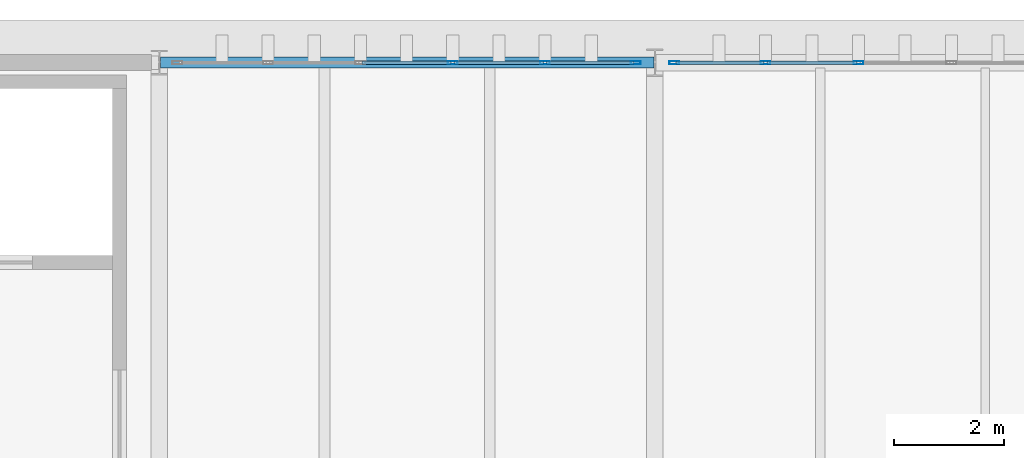
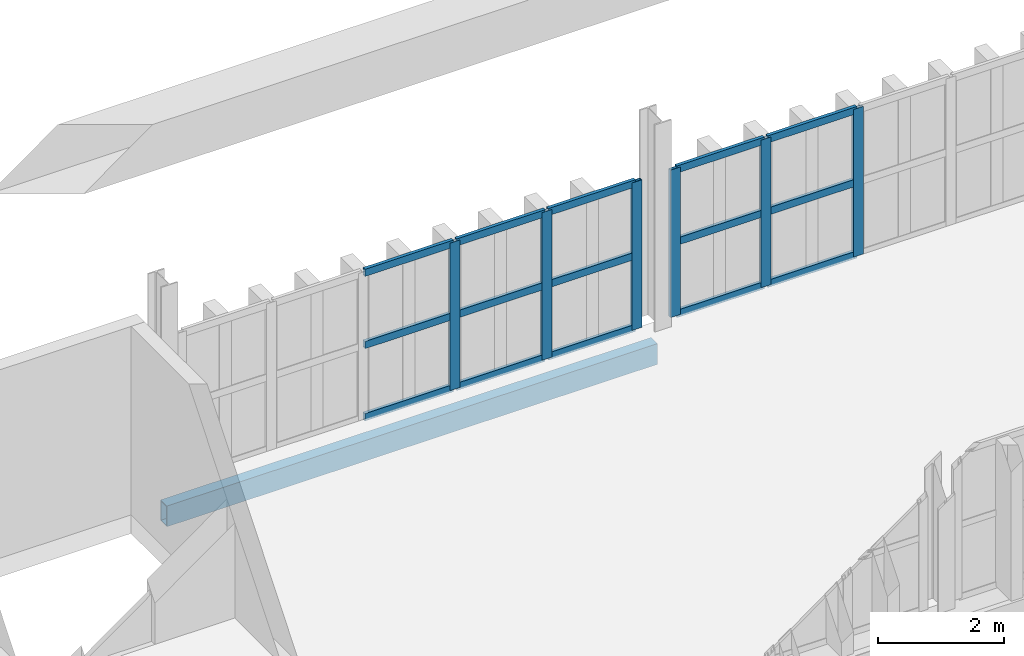
# One storey, part 71 of 102: 21 members, 1 beam, 2 elements without a shape of their own.
"""IFC4 building model written with IfcOpenShell, lengths in metres."""

import ifcopenshell
import ifcopenshell.guid

model = None  # the IFC model being written
_history = None  # IfcOwnerHistory: only IFC2X3 demands one
_inside = {}  # id of a spatial element -> (the spatial element, [elements in it])
_under = {}  # id of a project, library or spatial element -> (it, [spatial elements below it])
_declared = {}  # id of a project -> (the project, [libraries it declares])
_typed = {}  # id of a type object -> (the type object, [elements of that type])
_made_of = {}  # id of a material, layer set ... -> (it, [elements and type objects made of it])


def new_model(schema):
    """Start an empty IFC model of exactly this schema.

    Asked for "IFC4X3", IfcOpenShell would pick the latest addendum, in which some entities
    have other attributes; the version numbers below select the first issue.
    IFC2X3 requires an IfcOwnerHistory on every rooted entity: one is made here for all.
    """
    global model, _history
    if schema == "IFC4X3":
        model = ifcopenshell.file(schema_version=(4, 3, 0, 0))
    else:
        model = ifcopenshell.file(schema=schema)
    _inside.clear()
    _under.clear()
    _declared.clear()
    _typed.clear()
    _made_of.clear()
    _history = None
    if model.schema == "IFC2X3":
        org = make("IfcOrganization", Name="unknown")
        user = make(
            "IfcPersonAndOrganization",
            ThePerson=make("IfcPerson", FamilyName="unknown"),
            TheOrganization=org,
        )
        app = make(
            "IfcApplication",
            ApplicationDeveloper=org,
            Version="unknown",
            ApplicationFullName="unknown",
            ApplicationIdentifier="unknown",
        )
        _history = make(
            "IfcOwnerHistory",
            OwningUser=user,
            OwningApplication=app,
            ChangeAction="ADDED",
            CreationDate=0,
        )
    return model


def make(cls, **values):
    """One entity of the class cls with the attributes given. An attribute that is None is left unset."""
    return model.create_entity(
        cls, **{name: value for name, value in values.items() if value is not None}
    )


def rooted(cls, **values):
    """An entity with a GlobalId (a new one), such as an element, a storey or a relation."""
    return make(cls, GlobalId=ifcopenshell.guid.new(), OwnerHistory=_history, **values)


def si_unit(unit_type, name, prefix=None):
    """IfcSIUnit, for example si_unit("LENGTHUNIT", "METRE", prefix="MILLI")."""
    return make("IfcSIUnit", UnitType=unit_type, Prefix=prefix, Name=name)


def assignment(units):
    """IfcUnitAssignment: the units of a project."""
    return None if units is None else make("IfcUnitAssignment", Units=units)


def point(xyz):
    """IfcCartesianPoint."""
    return None if xyz is None else make("IfcCartesianPoint", Coordinates=xyz)


def direction(xyz):
    """IfcDirection."""
    return None if xyz is None else make("IfcDirection", DirectionRatios=xyz)


def frame(location, z_axis=None, x_axis=None):
    """IfcAxis2Placement3D, a coordinate frame: its origin and axes. An axis left out is left unset."""
    return make(
        "IfcAxis2Placement3D",
        Location=point(location),
        Axis=direction(z_axis),
        RefDirection=direction(x_axis),
    )


def frame_2d(location, x_axis=None):
    """IfcAxis2Placement2D, a coordinate frame in the plane: its origin and x axis."""
    return make(
        "IfcAxis2Placement2D", Location=point(location), RefDirection=direction(x_axis)
    )


def origin():
    """The frame at (0, 0, 0) with its axes left unset."""
    return frame((0.0, 0.0, 0.0))


def origin_2d():
    """The frame at (0, 0) in the plane with its x axis left unset."""
    return frame_2d((0.0, 0.0))


def place(relative_to, where):
    """IfcLocalPlacement: puts the frame where relative to a parent placement (None: the world)."""
    return make(
        "IfcLocalPlacement", PlacementRelTo=relative_to, RelativePlacement=where
    )


def context(
    kind, dimensions, precision=None, world=None, true_north=None, identifier=None
):
    """IfcGeometricRepresentationContext, for example the 3D "Model" context."""
    return make(
        "IfcGeometricRepresentationContext",
        ContextIdentifier=identifier,
        ContextType=kind,
        CoordinateSpaceDimension=dimensions,
        Precision=precision,
        WorldCoordinateSystem=world,
        TrueNorth=true_north,
    )


def subcontext(parent, identifier, kind, view, scale=None):
    """IfcGeometricRepresentationSubContext, for example "Body" below "Model"."""
    return make(
        "IfcGeometricRepresentationSubContext",
        ContextIdentifier=identifier,
        ContextType=kind,
        ParentContext=parent,
        TargetScale=scale,
        TargetView=view,
    )


def project(units=None, contexts=None):
    """IfcProject with its units and contexts."""
    return rooted(
        "IfcProject",
        Name="project",
        RepresentationContexts=contexts,
        UnitsInContext=assignment(units),
    )


def spatial(cls, under=None, at=None, **own):
    """A site, building, storey or space (cls), placed at a placement, below another one or the project."""
    s = rooted(cls, ObjectPlacement=at, **own)
    if under is not None:
        _under.setdefault(under.id(), (under, []))[1].append(s)
    return s


def profile(cls, at=None, kind="AREA", **sizes):
    """A parametric profile (cls). Its sizes go by their IFC names, for example OverallWidth=200.0."""
    return make(cls, ProfileType=kind, Position=at, **sizes)


def hollow_rectangle(**sizes):
    """IfcRectangleHollowProfileDef."""
    return profile("IfcRectangleHollowProfileDef", **sizes)


def extrude(swept, where, along, depth):
    """IfcExtrudedAreaSolid: the profile swept, set in the frame where, extruded along a direction by depth."""
    return make(
        "IfcExtrudedAreaSolid",
        SweptArea=swept,
        Position=where,
        ExtrudedDirection=direction(along),
        Depth=depth,
    )


def shape(context_of_items, identifier, shape_type, items):
    """IfcShapeRepresentation: the items that make up one representation, for example the "Body"."""
    return make(
        "IfcShapeRepresentation",
        ContextOfItems=context_of_items,
        RepresentationIdentifier=identifier,
        RepresentationType=shape_type,
        Items=items,
    )


def material(Name=None, Category=None):
    """IfcMaterial."""
    return make("IfcMaterial", Name=Name, Category=Category)


def layer(
    of_material, thickness, ventilated=None, Name=None, Category=None, Priority=None
):
    """IfcMaterialLayer: one layer of a wall or slab, of a material (None: an air gap)."""
    return make(
        "IfcMaterialLayer",
        Material=of_material,
        LayerThickness=thickness,
        IsVentilated=ventilated,
        Name=Name,
        Category=Category,
        Priority=Priority,
    )


def layer_set(layers, Name=None):
    """IfcMaterialLayerSet."""
    return make("IfcMaterialLayerSet", MaterialLayers=layers, LayerSetName=Name)


def material_profile(
    of_material, cross_section, Name=None, Category=None, Priority=None
):
    """IfcMaterialProfile: a cross section and its material."""
    return make(
        "IfcMaterialProfile",
        Name=Name,
        Material=of_material,
        Profile=cross_section,
        Priority=Priority,
        Category=Category,
    )


def profile_set(profiles, Name=None, composite=None):
    """IfcMaterialProfileSet."""
    return make(
        "IfcMaterialProfileSet",
        Name=Name,
        MaterialProfiles=profiles,
        CompositeProfile=composite,
    )


def made_of(thing, what):
    """Note that an element or type object is made of a material, layer set ...; save() writes the relation."""
    if what is not None:
        _made_of.setdefault(what.id(), (what, []))[1].append(thing)
    return thing


def type_object(cls, material=None, **own):
    """A type object (cls), such as IfcWallType, which elements share."""
    return made_of(rooted(cls, **own), material)


def element(
    cls,
    number,
    at=None,
    inside=None,
    cuts=None,
    type_object=None,
    material=None,
    context=None,
    identifier="Body",
    shape_type=None,
    held_by="IfcProductDefinitionShape",
    body=None,
    shapes=None,
    **own,
):
    """One element of the class cls, such as IfcWall. Its Tag is "e" and its number.

    at: its placement. inside: the storey or other place that contains it. cuts: it is an
    opening in that element (IfcRelVoidsElement). A single representation is given by context,
    identifier, shape_type and body (its items); several are given by shapes. held_by: the class
    of the entity that holds the representations. save() writes the other relations.
    """
    e = rooted(cls, Tag="e%d" % number, ObjectPlacement=at, **own)
    if body is not None:
        shapes = [shape(context, identifier, shape_type, body)]
    if shapes is not None:
        e.Representation = make(held_by, Representations=shapes)
    if inside is not None:
        _inside.setdefault(inside.id(), (inside, []))[1].append(e)
    if cuts is not None:
        rooted(
            "IfcRelVoidsElement", RelatingBuildingElement=cuts, RelatedOpeningElement=e
        )
    if type_object is not None:
        _typed.setdefault(type_object.id(), (type_object, []))[1].append(e)
    return made_of(e, material)


def aggregate(whole, parts):
    """IfcRelAggregates: a whole, such as a stair, and the parts it consists of."""
    return rooted("IfcRelAggregates", RelatingObject=whole, RelatedObjects=parts)


def save(model, path):
    """Write the relations noted so far, then the file.

    IfcRelAggregates (storeys below a building ...), IfcRelContainedInSpatialStructure (elements
    in a storey), IfcRelDefinesByType, IfcRelAssociatesMaterial and IfcRelDeclares: one each for
    every whole, place, type object, material and project.
    """
    for whole, parts in _under.values():
        aggregate(whole, parts)
    for where, things in _inside.values():
        rooted(
            "IfcRelContainedInSpatialStructure",
            RelatedElements=things,
            RelatingStructure=where,
        )
    for kind, things in _typed.values():
        rooted("IfcRelDefinesByType", RelatedObjects=things, RelatingType=kind)
    for what, things in _made_of.values():
        rooted("IfcRelAssociatesMaterial", RelatedObjects=things, RelatingMaterial=what)
    for by, libraries in _declared.values():
        rooted("IfcRelDeclares", RelatingContext=by, RelatedDefinitions=libraries)
    model.write(path)


model = new_model("IFC4")

# Units and contexts
model_context = context("Model", 3, precision=1e-05, world=origin(), true_north=direction((0.0, 1.0)))
body_context = subcontext(model_context, "Body", "Model", "MODEL_VIEW")
ifc_project = project(units=[si_unit("LENGTHUNIT", "METRE"), si_unit("AREAUNIT", "SQUARE_METRE"), si_unit("VOLUMEUNIT", "CUBIC_METRE"), si_unit("PLANEANGLEUNIT", "RADIAN"), si_unit("MASSUNIT", "GRAM", prefix="KILO")], contexts=[model_context])

# Site, building, storey
site_placement = place(None, origin())
site = spatial("IfcSite", under=ifc_project, at=site_placement, CompositionType="ELEMENT")
building_placement = place(site_placement, origin())
building = spatial("IfcBuilding", under=site, at=building_placement, Name="Barlavento Convention Centre", CompositionType="ELEMENT")
storey_placement = place(building_placement, frame((0.0, 0.0, 22.800048828125)))
storey = spatial("IfcBuildingStorey", under=building, at=storey_placement, Name="L04", CompositionType="ELEMENT", Elevation=22.800048828125)

# Curtain wall, members
ifc_material_1 = material(Name="Powder-coated aluminium and Low-E glass", Category="aluminium")
ifc_layer = layer(ifc_material_1, 0.18505859375)
ifc_layer_set = layer_set([ifc_layer], Name="ARC-CW-CONF-L04")
curtain_wall_type = type_object("IfcCurtainWallType", Name="ARC-CW-CONF-L04", PredefinedType="NOTDEFINED", material=ifc_layer_set)
curtain_wall_1_placement = place(storey_placement, origin())
curtain_wall_1 = element("IfcCurtainWall", 1, at=curtain_wall_1_placement, inside=storey, type_object=curtain_wall_type, Name="L04 unitised curtain wall CW09", PredefinedType="NOTDEFINED")
ifc_material_2 = material(Name="Powder-coated aluminium", Category="aluminium")
ifc_material_profile_1 = material_profile(ifc_material_2, hollow_rectangle(XDim=0.06005859375, YDim=0.179931640625, WallThickness=0.0048828125, at=origin_2d()), Name="AL-MULL 60x180x5")
ifc_profile_set_1 = profile_set([ifc_material_profile_1], Name="Powder-coated aluminium")
member_type_1 = type_object("IfcMemberType", Name="ARC-CWM-60X180", PredefinedType="MULLION", material=ifc_profile_set_1)
member_1_placement = place(storey_placement, frame((158.325927734375, 99.0, 0.0), z_axis=(0.0, 0.0, 1.0), x_axis=(0.0, 1.0, 0.0)))
member_1 = element("IfcMember", 2, at=member_1_placement, type_object=member_type_1, Name="CW09 mullion 4", PredefinedType="MULLION", context=body_context, shape_type="SweptSolid", body=[
    extrude(hollow_rectangle(XDim=0.06005859375, YDim=0.179931640625, WallThickness=0.0048828125, at=origin_2d()), origin(), (0.0, 0.0, 1.0), 2.849853515625),
])
member_2_placement = place(storey_placement, frame((160.0029296875, 99.0, 0.0), z_axis=(0.0, 0.0, 1.0), x_axis=(0.0, 1.0, 0.0)))
member_2 = element("IfcMember", 3, at=member_2_placement, type_object=member_type_1, Name="CW09 mullion 5", PredefinedType="MULLION", context=body_context, shape_type="SweptSolid", body=[
    extrude(hollow_rectangle(XDim=0.06005859375, YDim=0.179931640625, WallThickness=0.0048828125, at=origin_2d()), origin(), (0.0, 0.0, 1.0), 2.849853515625),
])
member_3_placement = place(storey_placement, frame((161.64990234375, 99.0, 0.0), z_axis=(0.0, 0.0, 1.0), x_axis=(0.0, 1.0, 0.0)))
member_3 = element("IfcMember", 4, at=member_3_placement, type_object=member_type_1, Name="CW09 mullion 6", PredefinedType="MULLION", context=body_context, shape_type="SweptSolid", body=[
    extrude(hollow_rectangle(XDim=0.06005859375, YDim=0.179931640625, WallThickness=0.0048828125, at=origin_2d()), origin(), (0.0, 0.0, 1.0), 2.849853515625),
])

curtain_wall_2_placement = place(storey_placement, origin())
curtain_wall_2 = element("IfcCurtainWall", 5, at=curtain_wall_2_placement, inside=storey, type_object=curtain_wall_type, Name="L04 unitised curtain wall CW09", PredefinedType="NOTDEFINED")
member_4_placement = place(storey_placement, frame((162.35009765625, 99.0, 0.0), z_axis=(0.0, 0.0, 1.0), x_axis=(0.0, 1.0, 0.0)))
member_4 = element("IfcMember", 6, at=member_4_placement, type_object=member_type_1, Name="CW09 mullion 1", PredefinedType="MULLION", context=body_context, shape_type="SweptSolid", body=[
    extrude(hollow_rectangle(XDim=0.06005859375, YDim=0.179931640625, WallThickness=0.0048828125, at=origin_2d()), origin(), (0.0, 0.0, 1.0), 2.849853515625),
])
member_5_placement = place(storey_placement, frame((164.008056640625, 99.0, 0.0), z_axis=(0.0, 0.0, 1.0), x_axis=(0.0, 1.0, 0.0)))
member_5 = element("IfcMember", 7, at=member_5_placement, type_object=member_type_1, Name="CW09 mullion 2", PredefinedType="MULLION", context=body_context, shape_type="SweptSolid", body=[
    extrude(hollow_rectangle(XDim=0.06005859375, YDim=0.179931640625, WallThickness=0.0048828125, at=origin_2d()), origin(), (0.0, 0.0, 1.0), 2.849853515625),
])
member_6_placement = place(storey_placement, frame((165.696044921875, 99.0, 0.0), z_axis=(0.0, 0.0, 1.0), x_axis=(0.0, 1.0, 0.0)))
member_6 = element("IfcMember", 8, at=member_6_placement, type_object=member_type_1, Name="CW09 mullion 3", PredefinedType="MULLION", context=body_context, shape_type="SweptSolid", body=[
    extrude(hollow_rectangle(XDim=0.06005859375, YDim=0.179931640625, WallThickness=0.0048828125, at=origin_2d()), origin(), (0.0, 0.0, 1.0), 2.849853515625),
])

# Member
ifc_material_profile_2 = material_profile(ifc_material_2, hollow_rectangle(XDim=0.06005859375, YDim=0.139892578125, WallThickness=0.00390625, at=origin_2d()), Name="AL-TRAN 60x140x4")
ifc_profile_set_2 = profile_set([ifc_material_profile_2], Name="Powder-coated aluminium")
member_type_2 = type_object("IfcMemberType", Name="ARC-CWT-60X140", PredefinedType="USERDEFINED", material=ifc_profile_set_2)
member_7_placement = place(storey_placement, frame((156.678955078125, 99.0, 0.030029296875), z_axis=(1.0, 0.0, 0.0), x_axis=(0.0, 1.0, 0.0)))
member_7 = element("IfcMember", 9, at=member_7_placement, type_object=member_type_2, Name="CW09 transom 3.1", ObjectType="TRANSOM", PredefinedType="USERDEFINED", context=body_context, shape_type="SweptSolid", body=[
    extrude(hollow_rectangle(XDim=0.06005859375, YDim=0.139892578125, WallThickness=0.00390625, at=origin_2d()), origin(), (0.0, 0.0, 1.0), 1.616943359375),
])

member_8_placement = place(storey_placement, frame((156.678955078125, 99.0, 1.425048828125), z_axis=(1.0, 0.0, 0.0), x_axis=(0.0, 1.0, 0.0)))
member_8 = element("IfcMember", 10, at=member_8_placement, type_object=member_type_2, Name="CW09 transom 3.2", ObjectType="TRANSOM", PredefinedType="USERDEFINED", context=body_context, shape_type="SweptSolid", body=[
    extrude(hollow_rectangle(XDim=0.06005859375, YDim=0.139892578125, WallThickness=0.00390625, at=origin_2d()), origin(), (0.0, 0.0, 1.0), 1.616943359375),
])

member_9_placement = place(storey_placement, frame((156.678955078125, 99.0, 2.820068359375), z_axis=(1.0, 0.0, 0.0), x_axis=(0.0, 1.0, 0.0)))
member_9 = element("IfcMember", 11, at=member_9_placement, type_object=member_type_2, Name="CW09 transom 3.3", ObjectType="TRANSOM", PredefinedType="USERDEFINED", context=body_context, shape_type="SweptSolid", body=[
    extrude(hollow_rectangle(XDim=0.06005859375, YDim=0.139892578125, WallThickness=0.00390625, at=origin_2d()), origin(), (0.0, 0.0, 1.0), 1.616943359375),
])

member_10_placement = place(storey_placement, frame((158.35595703125, 99.0, 0.030029296875), z_axis=(1.0, 0.0, 0.0), x_axis=(0.0, 1.0, 0.0)))
member_10 = element("IfcMember", 12, at=member_10_placement, type_object=member_type_2, Name="CW09 transom 4.1", ObjectType="TRANSOM", PredefinedType="USERDEFINED", context=body_context, shape_type="SweptSolid", body=[
    extrude(hollow_rectangle(XDim=0.06005859375, YDim=0.139892578125, WallThickness=0.00390625, at=origin_2d()), origin(), (0.0, 0.0, 1.0), 1.616943359375),
])

member_11_placement = place(storey_placement, frame((158.35595703125, 99.0, 1.425048828125), z_axis=(1.0, 0.0, 0.0), x_axis=(0.0, 1.0, 0.0)))
member_11 = element("IfcMember", 13, at=member_11_placement, type_object=member_type_2, Name="CW09 transom 4.2", ObjectType="TRANSOM", PredefinedType="USERDEFINED", context=body_context, shape_type="SweptSolid", body=[
    extrude(hollow_rectangle(XDim=0.06005859375, YDim=0.139892578125, WallThickness=0.00390625, at=origin_2d()), origin(), (0.0, 0.0, 1.0), 1.616943359375),
])

member_12_placement = place(storey_placement, frame((158.35595703125, 99.0, 2.820068359375), z_axis=(1.0, 0.0, 0.0), x_axis=(0.0, 1.0, 0.0)))
member_12 = element("IfcMember", 14, at=member_12_placement, type_object=member_type_2, Name="CW09 transom 4.3", ObjectType="TRANSOM", PredefinedType="USERDEFINED", context=body_context, shape_type="SweptSolid", body=[
    extrude(hollow_rectangle(XDim=0.06005859375, YDim=0.139892578125, WallThickness=0.00390625, at=origin_2d()), origin(), (0.0, 0.0, 1.0), 1.616943359375),
])

member_13_placement = place(storey_placement, frame((160.032958984375, 99.0, 0.030029296875), z_axis=(1.0, 0.0, 0.0), x_axis=(0.0, 1.0, 0.0)))
member_13 = element("IfcMember", 15, at=member_13_placement, type_object=member_type_2, Name="CW09 transom 5.1", ObjectType="TRANSOM", PredefinedType="USERDEFINED", context=body_context, shape_type="SweptSolid", body=[
    extrude(hollow_rectangle(XDim=0.06005859375, YDim=0.139892578125, WallThickness=0.00390625, at=origin_2d()), origin(), (0.0, 0.0, 1.0), 1.587158203125),
])

member_14_placement = place(storey_placement, frame((160.032958984375, 99.0, 1.425048828125), z_axis=(1.0, 0.0, 0.0), x_axis=(0.0, 1.0, 0.0)))
member_14 = element("IfcMember", 16, at=member_14_placement, type_object=member_type_2, Name="CW09 transom 5.2", ObjectType="TRANSOM", PredefinedType="USERDEFINED", context=body_context, shape_type="SweptSolid", body=[
    extrude(hollow_rectangle(XDim=0.06005859375, YDim=0.139892578125, WallThickness=0.00390625, at=origin_2d()), origin(), (0.0, 0.0, 1.0), 1.587158203125),
])

member_15_placement = place(storey_placement, frame((160.032958984375, 99.0, 2.820068359375), z_axis=(1.0, 0.0, 0.0), x_axis=(0.0, 1.0, 0.0)))
member_15 = element("IfcMember", 17, at=member_15_placement, type_object=member_type_2, Name="CW09 transom 5.3", ObjectType="TRANSOM", PredefinedType="USERDEFINED", context=body_context, shape_type="SweptSolid", body=[
    extrude(hollow_rectangle(XDim=0.06005859375, YDim=0.139892578125, WallThickness=0.00390625, at=origin_2d()), origin(), (0.0, 0.0, 1.0), 1.587158203125),
])

aggregate(curtain_wall_1, [member_1, member_2, member_3, member_7, member_8, member_9, member_10, member_11, member_12, member_13, member_14, member_15])

member_16_placement = place(storey_placement, frame((162.3798828125, 99.0, 0.030029296875), z_axis=(1.0, 0.0, 0.0), x_axis=(0.0, 1.0, 0.0)))
member_16 = element("IfcMember", 18, at=member_16_placement, type_object=member_type_2, Name="CW09 transom 1.1", ObjectType="TRANSOM", PredefinedType="USERDEFINED", context=body_context, shape_type="SweptSolid", body=[
    extrude(hollow_rectangle(XDim=0.06005859375, YDim=0.139892578125, WallThickness=0.00390625, at=origin_2d()), origin(), (0.0, 0.0, 1.0), 1.59814453125),
])

member_17_placement = place(storey_placement, frame((162.3798828125, 99.0, 1.425048828125), z_axis=(1.0, 0.0, 0.0), x_axis=(0.0, 1.0, 0.0)))
member_17 = element("IfcMember", 19, at=member_17_placement, type_object=member_type_2, Name="CW09 transom 1.2", ObjectType="TRANSOM", PredefinedType="USERDEFINED", context=body_context, shape_type="SweptSolid", body=[
    extrude(hollow_rectangle(XDim=0.06005859375, YDim=0.139892578125, WallThickness=0.00390625, at=origin_2d()), origin(), (0.0, 0.0, 1.0), 1.59814453125),
])

member_18_placement = place(storey_placement, frame((162.3798828125, 99.0, 2.820068359375), z_axis=(1.0, 0.0, 0.0), x_axis=(0.0, 1.0, 0.0)))
member_18 = element("IfcMember", 20, at=member_18_placement, type_object=member_type_2, Name="CW09 transom 1.3", ObjectType="TRANSOM", PredefinedType="USERDEFINED", context=body_context, shape_type="SweptSolid", body=[
    extrude(hollow_rectangle(XDim=0.06005859375, YDim=0.139892578125, WallThickness=0.00390625, at=origin_2d()), origin(), (0.0, 0.0, 1.0), 1.59814453125),
])

member_19_placement = place(storey_placement, frame((164.0380859375, 99.0, 0.030029296875), z_axis=(1.0, 0.0, 0.0), x_axis=(0.0, 1.0, 0.0)))
member_19 = element("IfcMember", 21, at=member_19_placement, type_object=member_type_2, Name="CW09 transom 2.1", ObjectType="TRANSOM", PredefinedType="USERDEFINED", context=body_context, shape_type="SweptSolid", body=[
    extrude(hollow_rectangle(XDim=0.06005859375, YDim=0.139892578125, WallThickness=0.00390625, at=origin_2d()), origin(), (0.0, 0.0, 1.0), 1.6279296875),
])

member_20_placement = place(storey_placement, frame((164.0380859375, 99.0, 1.425048828125), z_axis=(1.0, 0.0, 0.0), x_axis=(0.0, 1.0, 0.0)))
member_20 = element("IfcMember", 22, at=member_20_placement, type_object=member_type_2, Name="CW09 transom 2.2", ObjectType="TRANSOM", PredefinedType="USERDEFINED", context=body_context, shape_type="SweptSolid", body=[
    extrude(hollow_rectangle(XDim=0.06005859375, YDim=0.139892578125, WallThickness=0.00390625, at=origin_2d()), origin(), (0.0, 0.0, 1.0), 1.6279296875),
])

member_21_placement = place(storey_placement, frame((164.0380859375, 99.0, 2.820068359375), z_axis=(1.0, 0.0, 0.0), x_axis=(0.0, 1.0, 0.0)))
member_21 = element("IfcMember", 23, at=member_21_placement, type_object=member_type_2, Name="CW09 transom 2.3", ObjectType="TRANSOM", PredefinedType="USERDEFINED", context=body_context, shape_type="SweptSolid", body=[
    extrude(hollow_rectangle(XDim=0.06005859375, YDim=0.139892578125, WallThickness=0.00390625, at=origin_2d()), origin(), (0.0, 0.0, 1.0), 1.6279296875),
])

aggregate(curtain_wall_2, [member_4, member_5, member_6, member_16, member_17, member_18, member_19, member_20, member_21])

# Beam
ifc_material_3 = material(Name="Steel S355", Category="steel")
ifc_material_profile_3 = material_profile(ifc_material_3, hollow_rectangle(XDim=0.199951171875, YDim=0.39990234375, WallThickness=0.01611328125, at=origin_2d()), Name="RHS 400x200x16.0")
ifc_profile_set_3 = profile_set([ifc_material_profile_3], Name="Steel S355")
beam_type = type_object("IfcBeamType", Name="STR-BM-SPN-RHS400", PredefinedType="SPANDREL", material=ifc_profile_set_3)
beam_placement = place(storey_placement, frame((153.02001953125, 99.0, -0.56005859375), z_axis=(1.0, 0.0, 0.0), x_axis=(0.0, 1.0, 0.0)))
element("IfcBeam", 24, at=beam_placement, inside=storey, type_object=beam_type, Name="L04 primary girder SP06", PredefinedType="SPANDREL", context=body_context, shape_type="SweptSolid", body=[
    extrude(hollow_rectangle(XDim=0.199951171875, YDim=0.39990234375, WallThickness=0.01611328125, at=origin_2d()), origin(), (0.0, 0.0, 1.0), 8.9599609375),
])

save(model, "model.ifc")
